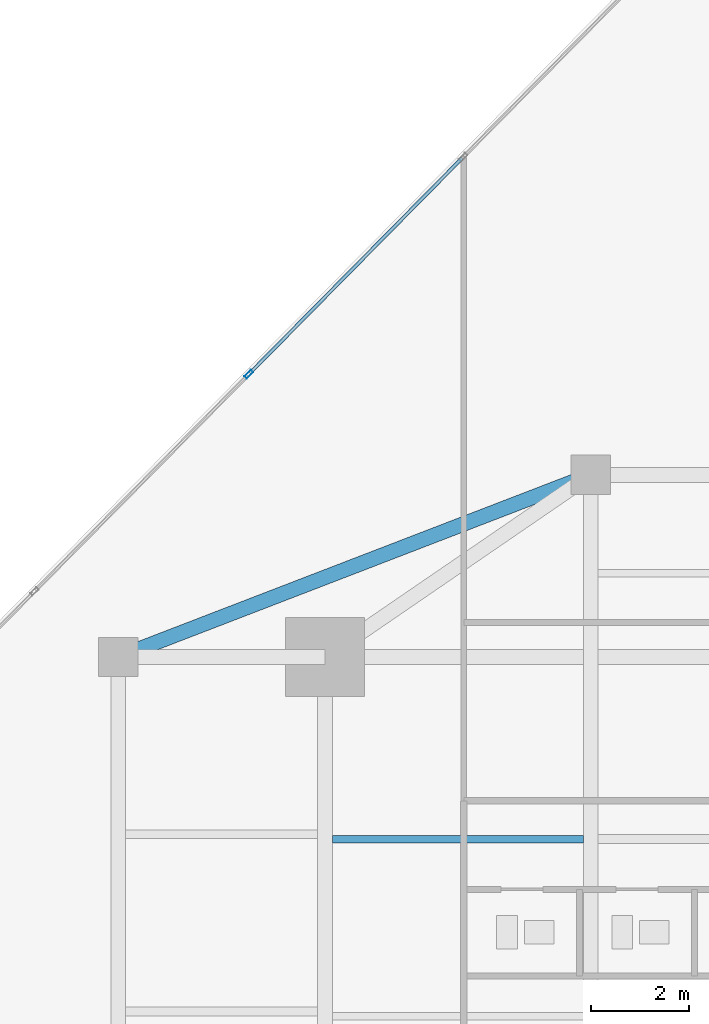
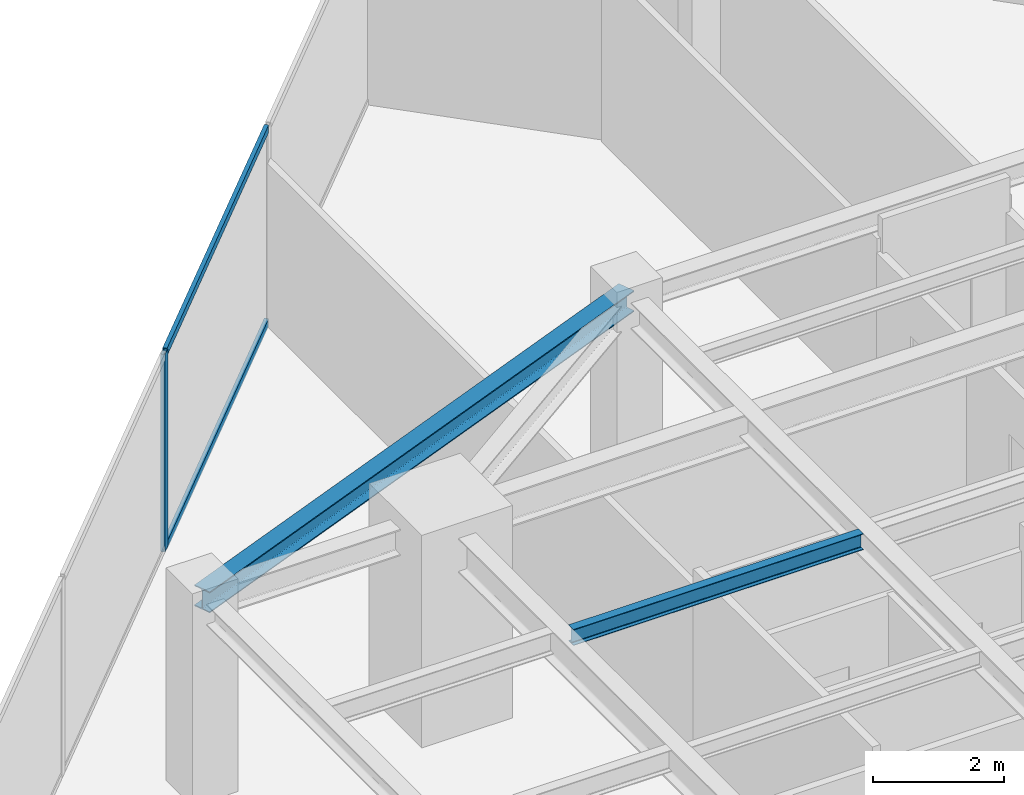
# One storey, part 14 of 24: 3 members, 2 beams, 1 element without a shape of its own.
"""IFC4 building model written with IfcOpenShell, lengths in metres."""

from ifc_helpers import new_model, si_unit, direction, frame, origin, origin_2d, place, context, subcontext, project, spatial, hollow_rectangle, i_section, extrude, source, transform, mapped, material, material_profile, profile_set, type_object, type_shapes, element, aggregate, save


model = new_model("IFC4")

# Units and contexts
model_context = context("Model", 3, precision=1e-05, world=origin(), true_north=direction((0.0, 1.0)))
body_context = subcontext(model_context, "Body", "Model", "MODEL_VIEW")
ifc_project = project(units=[si_unit("LENGTHUNIT", "METRE"), si_unit("AREAUNIT", "SQUARE_METRE"), si_unit("VOLUMEUNIT", "CUBIC_METRE"), si_unit("PLANEANGLEUNIT", "RADIAN"), si_unit("MASSUNIT", "GRAM", prefix="KILO")], contexts=[model_context])

# Site, building, storey
site_placement = place(None, origin())
site = spatial("IfcSite", under=ifc_project, at=site_placement, CompositionType="ELEMENT")
building_placement = place(site_placement, origin())
building = spatial("IfcBuilding", under=site, at=building_placement, Name="Krantzveldt Concourse Tower", CompositionType="ELEMENT")
storey_placement = place(building_placement, frame((0.0, 0.0, 231.0)))
storey = spatial("IfcBuildingStorey", under=building, at=storey_placement, Name="L56", CompositionType="ELEMENT", Elevation=231.0)

# Beams
ifc_material_1 = material(Name="Steel S355JR", Category="steel")
ifc_material_profile_1 = material_profile(ifc_material_1, i_section(OverallWidth=0.300048828125, OverallDepth=0.389892578125, WebThickness=0.010986328125, FlangeThickness=0.01904296875, FilletRadius=0.027099609375, at=origin_2d()), Name="Steel S355JR", Category="steel")
ifc_profile_set_1 = profile_set([ifc_material_profile_1], Name="Steel S355JR - HEA 400")
beam_type_1 = type_object("IfcBeamType", Name="BM-SP-HEA400", PredefinedType="SPANDREL", material=ifc_profile_set_1)
shared_shape_1 = source(origin(), body_context, "Body", "SweptSolid", [
    extrude(i_section(OverallWidth=0.300048828125, OverallDepth=0.389892578125, WebThickness=0.010986328125, FlangeThickness=0.01904296875, FilletRadius=0.027099609375, at=origin_2d()), origin(), (0.0, 0.0, 1.0), 10.288330078125),
])
type_shapes(beam_type_1, [shared_shape_1])
beam_1_placement = place(storey_placement, frame((21.0, 37.5, 3.47509765625), z_axis=(0.933097690408, 0.359622997257, 0.0), x_axis=(-0.359622997257, 0.933097690408, 0.0)))
element("IfcBeam", 1, at=beam_1_placement, inside=storey, type_object=beam_type_1, Name="L56 Tower Girder SP-R03", PredefinedType="SPANDREL", context=body_context, shape_type="MappedRepresentation", body=[
    mapped(shared_shape_1, transform((0.0, 0.0, 0.0), x_axis=(1.0, 0.0, 0.0), y_axis=(0.0, 1.0, 0.0), z_axis=(0.0, 0.0, 1.0), scale=1.0)),
])
ifc_material_profile_2 = material_profile(ifc_material_1, i_section(OverallWidth=0.14990234375, OverallDepth=0.300048828125, WebThickness=0.007080078125, FlangeThickness=0.0107421875, FilletRadius=0.014892578125, at=origin_2d()), Name="Steel S355JR", Category="steel")
ifc_profile_set_2 = profile_set([ifc_material_profile_2], Name="Steel S355JR - IPE 300")
beam_type_2 = type_object("IfcBeamType", Name="BM-J-IPE300", PredefinedType="JOIST", material=ifc_profile_set_2)
shared_shape_2 = source(origin(), body_context, "Body", "SweptSolid", [
    extrude(i_section(OverallWidth=0.14990234375, OverallDepth=0.300048828125, WebThickness=0.007080078125, FlangeThickness=0.0107421875, FilletRadius=0.014892578125, at=origin_2d()), origin(), (0.0, 0.0, 1.0), 5.099853515625),
])
type_shapes(beam_type_2, [shared_shape_2])
beam_2_placement = place(storey_placement, frame((25.35009765625, 33.800048828125, 3.52001953125), z_axis=(1.0, 0.0, 0.0), x_axis=(0.0, 1.0, 0.0)))
element("IfcBeam", 2, at=beam_2_placement, inside=storey, type_object=beam_type_2, Name="L56 Secondary Floor Joist JN-W2", PredefinedType="JOIST", context=body_context, shape_type="MappedRepresentation", body=[
    mapped(shared_shape_2, transform((0.0, 0.0, 0.0), x_axis=(1.0, 0.0, 0.0), y_axis=(0.0, 1.0, 0.0), z_axis=(0.0, 0.0, 1.0), scale=1.0)),
])

# Curtain wall, members
ifc_material_2 = material(Name="Anodised aluminium 6063-T6", Category="aluminium")
curtain_wall_type = type_object("IfcCurtainWallType", Name="CW3", PredefinedType="USERDEFINED", material=ifc_material_2)
curtain_wall_placement = place(storey_placement, origin())
curtain_wall = element("IfcCurtainWall", 3, at=curtain_wall_placement, inside=storey, type_object=curtain_wall_type, Name="CW-L56-F01", ObjectType="UNITISED CURTAIN WALL", PredefinedType="USERDEFINED")
ifc_material_profile_3 = material_profile(ifc_material_2, hollow_rectangle(XDim=0.070068359375, YDim=0.179931640625, WallThickness=0.0048828125, at=origin_2d()), Name="Anodised aluminium 6063-T6", Category="aluminium")
ifc_profile_set_3 = profile_set([ifc_material_profile_3], Name="Anodised aluminium 6063-T6 - ALU-MULL 180x70x5")
member_type_1 = type_object("IfcMemberType", Name="CW-MUL-180", PredefinedType="MULLION", material=ifc_profile_set_3)
shared_shape_3 = source(origin(), body_context, "Body", "SweptSolid", [
    extrude(hollow_rectangle(XDim=0.070068359375, YDim=0.179931640625, WallThickness=0.0048828125, at=origin_2d()), origin(), (0.0, 0.0, 1.0), 3.669921875),
])
type_shapes(member_type_1, [shared_shape_3])
member_1_placement = place(storey_placement, frame((23.6513671875, 43.24365234375, 0.0), z_axis=(0.0, 0.0, 1.0), x_axis=(0.711719700179, -0.702463570854, 0.0)))
member_1 = element("IfcMember", 4, at=member_1_placement, type_object=member_type_1, Name="CW-Z34 mullion 3", PredefinedType="MULLION", context=body_context, shape_type="MappedRepresentation", body=[
    mapped(shared_shape_3, transform((0.0, 0.0, 0.0), x_axis=(1.0, 0.0, 0.0), y_axis=(0.0, 1.0, 0.0), z_axis=(0.0, 0.0, 1.0), scale=1.0)),
])
ifc_material_profile_4 = material_profile(ifc_material_2, hollow_rectangle(XDim=0.070068359375, YDim=0.139892578125, WallThickness=0.0048828125, at=origin_2d()), Name="Anodised aluminium 6063-T6", Category="aluminium")
ifc_profile_set_4 = profile_set([ifc_material_profile_4], Name="Anodised aluminium 6063-T6 - ALU-TRAN 140x70x5")
member_type_2 = type_object("IfcMemberType", Name="CW-TRN-150", PredefinedType="USERDEFINED", material=ifc_profile_set_4)
shared_shape_4 = source(origin(), body_context, "Body", "SweptSolid", [
    extrude(hollow_rectangle(XDim=0.070068359375, YDim=0.139892578125, WallThickness=0.0048828125, at=origin_2d()), origin(), (0.0, 0.0, 1.0), 6.1298828125),
])
type_shapes(member_type_2, [shared_shape_4])
member_2_placement = place(storey_placement, frame((27.982177734375, 47.63134765625, 0.034912109375), z_axis=(-0.702471736112, -0.71171164102, 0.0), x_axis=(0.71171164102, -0.702471736112, 0.0)))
member_2 = element("IfcMember", 5, at=member_2_placement, type_object=member_type_2, Name="CW-Z34 transom 2.1", ObjectType="TRANSOM", PredefinedType="USERDEFINED", context=body_context, shape_type="MappedRepresentation", body=[
    mapped(shared_shape_4, transform((0.0, 0.0, 0.0), x_axis=(1.0, 0.0, 0.0), y_axis=(0.0, 1.0, 0.0), z_axis=(0.0, 0.0, 1.0), scale=1.0)),
])
member_3_placement = place(storey_placement, frame((27.982177734375, 47.63134765625, 3.635009765625), z_axis=(-0.702471736112, -0.71171164102, 0.0), x_axis=(0.71171164102, -0.702471736112, 0.0)))
member_3 = element("IfcMember", 6, at=member_3_placement, type_object=member_type_2, Name="CW-Z34 transom 2.2", ObjectType="TRANSOM", PredefinedType="USERDEFINED", context=body_context, shape_type="MappedRepresentation", body=[
    mapped(shared_shape_4, transform((0.0, 0.0, 0.0), x_axis=(1.0, 0.0, 0.0), y_axis=(0.0, 1.0, 0.0), z_axis=(0.0, 0.0, 1.0), scale=1.0)),
])
aggregate(curtain_wall, [member_1, member_2, member_3])

save(model, "model.ifc")
